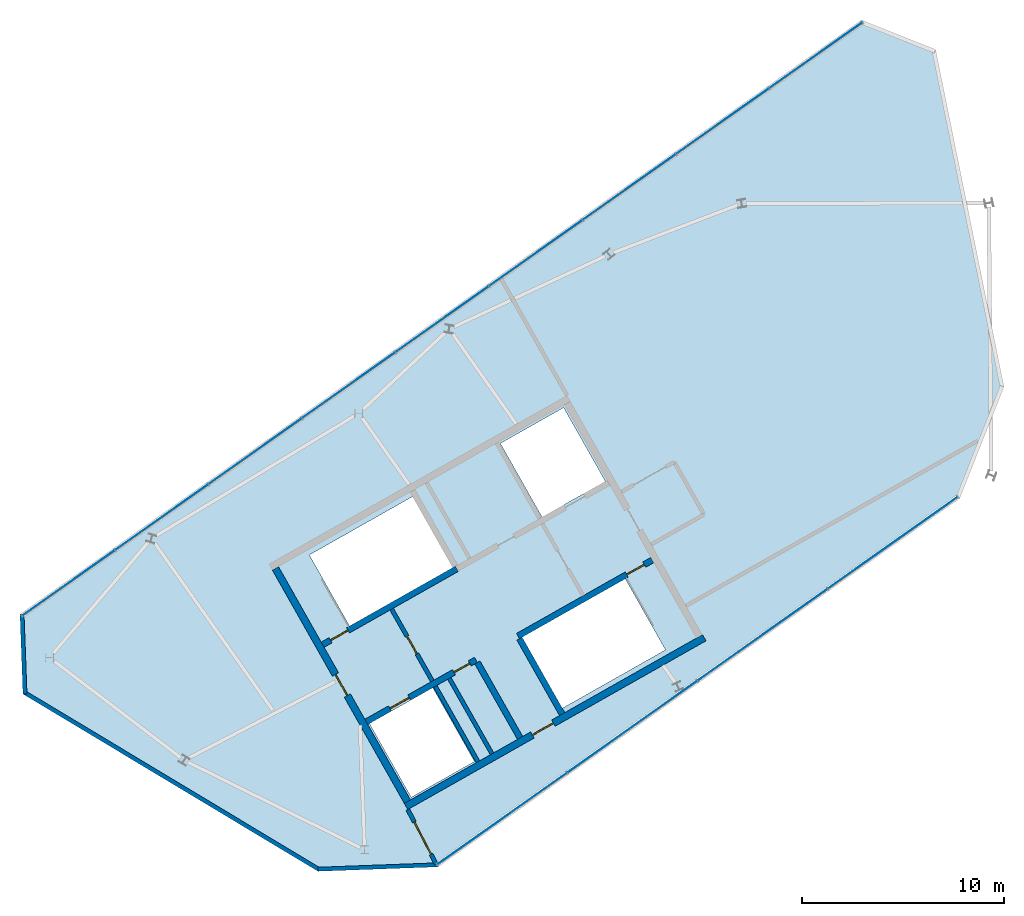
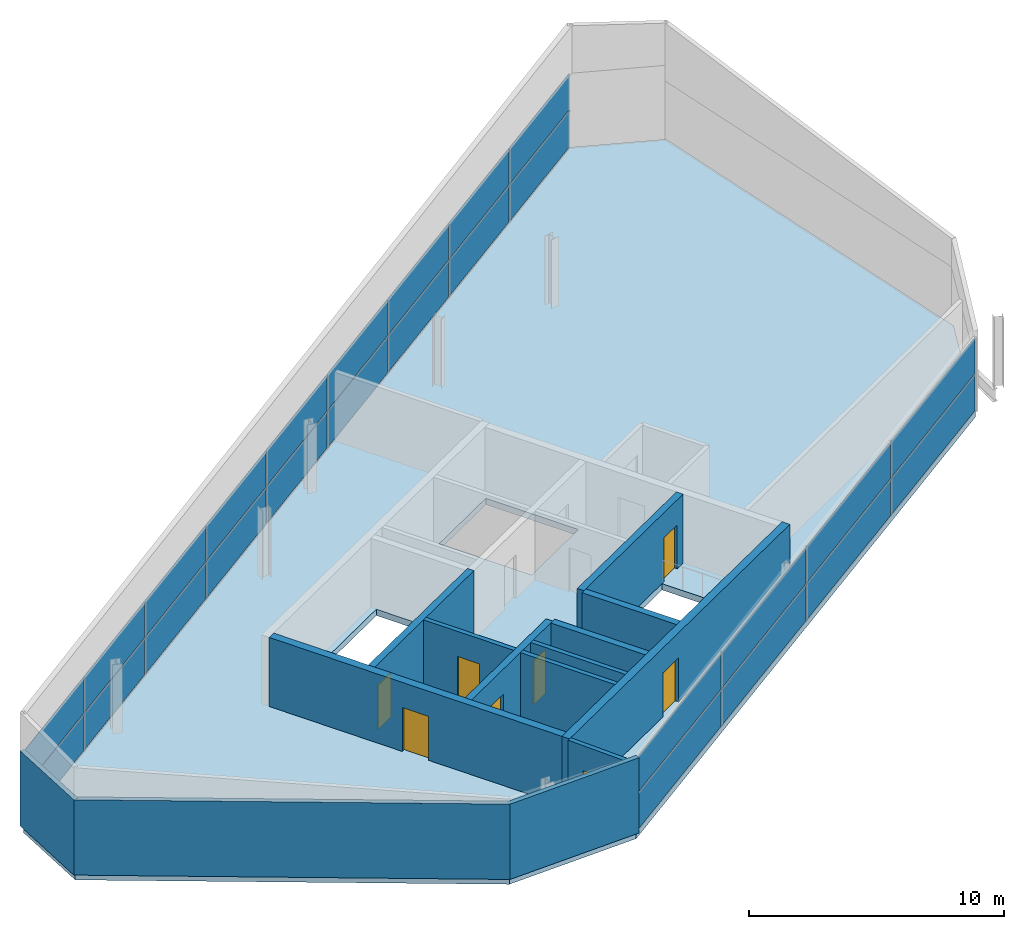
# One storey, part 8 of 10: 26 plates, 14 walls, 8 doors, 1 slab, 8 openings, 2 elements without a shape of their own.
"""IFC4 building model written with IfcOpenShell, lengths in metres."""

from ifc_helpers import new_model, si_unit, direction, frame, frame_2d, origin, origin_2d, place, context, subcontext, project, spatial, polyline, rectangle, outline, extrude, material, layer, layer_set, type_object, element, fill, aggregate, save


model = new_model("IFC4")

# Units and contexts
model_context = context("Model", 3, precision=1e-05, world=origin(), true_north=direction((0.0, 1.0)))
body_context = subcontext(model_context, "Body", "Model", "MODEL_VIEW")
ifc_project = project(units=[si_unit("LENGTHUNIT", "METRE"), si_unit("AREAUNIT", "SQUARE_METRE"), si_unit("VOLUMEUNIT", "CUBIC_METRE"), si_unit("PLANEANGLEUNIT", "RADIAN"), si_unit("MASSUNIT", "GRAM", prefix="KILO")], contexts=[model_context])

# Site, building, storey
site_placement = place(None, origin())
site = spatial("IfcSite", under=ifc_project, at=site_placement, CompositionType="ELEMENT")
building_placement = place(site_placement, origin())
building = spatial("IfcBuilding", under=site, at=building_placement, Name="Binnacle Exchange Tower", CompositionType="ELEMENT")
storey_placement = place(building_placement, frame((0.0, 0.0, 368.5)))
storey = spatial("IfcBuildingStorey", under=building, at=storey_placement, Name="L85", CompositionType="ELEMENT", Elevation=368.5)

# Curtain wall, plates
ifc_material_1 = material(Name="Bronze anodised aluminium frame", Category="aluminium")
curtain_wall_type = type_object("IfcCurtainWallType", Name="External wall - curtain wall crown top", PredefinedType="NOTDEFINED", material=ifc_material_1)
curtain_wall_1_placement = place(storey_placement, origin())
curtain_wall_1 = element("IfcCurtainWall", 1, at=curtain_wall_1_placement, inside=storey, type_object=curtain_wall_type, Name="External wall curtain wall CW6-C303 L85", PredefinedType="NOTDEFINED")
ifc_material_2 = material(Name="Glass", Category="glass")
ifc_layer_1 = layer(ifc_material_2, 0.02392578125)
ifc_layer_set_1 = layer_set([ifc_layer_1], Name="CW6 GLASS PANEL 24")
plate_type = type_object("IfcPlateType", Name="CW6 GLASS PANEL 24", PredefinedType="CURTAIN_PANEL", material=ifc_layer_set_1)
plate_1_placement = place(storey_placement, frame((-19.462158203125, 66.922119140625, 0.0400390625), z_axis=(0.0, 0.0, 1.0), x_axis=(-0.816847180221, -0.576854127285, 0.0)))
plate_1 = element("IfcPlate", 2, at=plate_1_placement, type_object=plate_type, Name="CW6-C303 panel 1.1", PredefinedType="CURTAIN_PANEL", context=body_context, shape_type="SweptSolid", body=[
    extrude(rectangle(XDim=5.604736328125, YDim=0.02392578125, at=origin_2d()), origin(), (0.0, 0.0, 1.0), 1.739990234375),
])
plate_2_placement = place(storey_placement, frame((-19.462158203125, 66.922119140625, 1.81982421875), z_axis=(0.0, 0.0, 1.0), x_axis=(-0.816847180221, -0.576854127285, 0.0)))
plate_2 = element("IfcPlate", 3, at=plate_2_placement, type_object=plate_type, Name="CW6-C303 panel 1.2", PredefinedType="CURTAIN_PANEL", context=body_context, shape_type="SweptSolid", body=[
    extrude(rectangle(XDim=5.604736328125, YDim=0.02392578125, at=origin_2d()), origin(), (0.0, 0.0, 1.0), 1.739990234375),
])
plate_3_placement = place(storey_placement, frame((-24.091552734375, 63.653076171875, 0.0400390625), z_axis=(0.0, 0.0, 1.0), x_axis=(-0.816847180221, -0.576854127285, 0.0)))
plate_3 = element("IfcPlate", 4, at=plate_3_placement, type_object=plate_type, Name="CW6-C303 panel 2.1", PredefinedType="CURTAIN_PANEL", context=body_context, shape_type="SweptSolid", body=[
    extrude(rectangle(XDim=5.6298828125, YDim=0.02392578125, at=origin_2d()), origin(), (0.0, 0.0, 1.0), 1.739990234375),
])
plate_4_placement = place(storey_placement, frame((-24.091552734375, 63.653076171875, 1.81982421875), z_axis=(0.0, 0.0, 1.0), x_axis=(-0.816847180221, -0.576854127285, 0.0)))
plate_4 = element("IfcPlate", 5, at=plate_4_placement, type_object=plate_type, Name="CW6-C303 panel 2.2", PredefinedType="CURTAIN_PANEL", context=body_context, shape_type="SweptSolid", body=[
    extrude(rectangle(XDim=5.6298828125, YDim=0.02392578125, at=origin_2d()), origin(), (0.0, 0.0, 1.0), 1.739990234375),
])
plate_5_placement = place(storey_placement, frame((-28.731201171875, 60.376708984375, 0.0400390625), z_axis=(0.0, 0.0, 1.0), x_axis=(-0.816847180221, -0.576854127285, 0.0)))
plate_5 = element("IfcPlate", 6, at=plate_5_placement, type_object=plate_type, Name="CW6-C303 panel 3.1", PredefinedType="CURTAIN_PANEL", context=body_context, shape_type="SweptSolid", body=[
    extrude(rectangle(XDim=5.6298828125, YDim=0.02392578125, at=origin_2d()), origin(), (0.0, 0.0, 1.0), 1.739990234375),
])
plate_6_placement = place(storey_placement, frame((-28.731201171875, 60.376708984375, 1.81982421875), z_axis=(0.0, 0.0, 1.0), x_axis=(-0.816847180221, -0.576854127285, 0.0)))
plate_6 = element("IfcPlate", 7, at=plate_6_placement, type_object=plate_type, Name="CW6-C303 panel 3.2", PredefinedType="CURTAIN_PANEL", context=body_context, shape_type="SweptSolid", body=[
    extrude(rectangle(XDim=5.6298828125, YDim=0.02392578125, at=origin_2d()), origin(), (0.0, 0.0, 1.0), 1.739990234375),
])
plate_7_placement = place(storey_placement, frame((-33.37060546875, 57.10009765625, 0.0400390625), z_axis=(0.0, 0.0, 1.0), x_axis=(-0.816847180221, -0.576854127285, 0.0)))
plate_7 = element("IfcPlate", 8, at=plate_7_placement, type_object=plate_type, Name="CW6-C303 panel 4.1", PredefinedType="CURTAIN_PANEL", context=body_context, shape_type="SweptSolid", body=[
    extrude(rectangle(XDim=5.6298828125, YDim=0.02392578125, at=origin_2d()), origin(), (0.0, 0.0, 1.0), 1.739990234375),
])
plate_8_placement = place(storey_placement, frame((-33.37060546875, 57.10009765625, 1.81982421875), z_axis=(0.0, 0.0, 1.0), x_axis=(-0.816847180221, -0.576854127285, 0.0)))
plate_8 = element("IfcPlate", 9, at=plate_8_placement, type_object=plate_type, Name="CW6-C303 panel 4.2", PredefinedType="CURTAIN_PANEL", context=body_context, shape_type="SweptSolid", body=[
    extrude(rectangle(XDim=5.6298828125, YDim=0.02392578125, at=origin_2d()), origin(), (0.0, 0.0, 1.0), 1.739990234375),
])
plate_9_placement = place(storey_placement, frame((-38.01025390625, 53.82373046875, 0.0400390625), z_axis=(0.0, 0.0, 1.0), x_axis=(-0.816847180221, -0.576854127285, 0.0)))
plate_9 = element("IfcPlate", 10, at=plate_9_placement, type_object=plate_type, Name="CW6-C303 panel 5.1", PredefinedType="CURTAIN_PANEL", context=body_context, shape_type="SweptSolid", body=[
    extrude(rectangle(XDim=5.6298828125, YDim=0.02392578125, at=origin_2d()), origin(), (0.0, 0.0, 1.0), 1.739990234375),
])
plate_10_placement = place(storey_placement, frame((-38.01025390625, 53.82373046875, 1.81982421875), z_axis=(0.0, 0.0, 1.0), x_axis=(-0.816847180221, -0.576854127285, 0.0)))
plate_10 = element("IfcPlate", 11, at=plate_10_placement, type_object=plate_type, Name="CW6-C303 panel 5.2", PredefinedType="CURTAIN_PANEL", context=body_context, shape_type="SweptSolid", body=[
    extrude(rectangle(XDim=5.6298828125, YDim=0.02392578125, at=origin_2d()), origin(), (0.0, 0.0, 1.0), 1.739990234375),
])
plate_11_placement = place(storey_placement, frame((-42.649658203125, 50.54736328125, 0.0400390625), z_axis=(0.0, 0.0, 1.0), x_axis=(-0.816847180221, -0.576854127285, 0.0)))
plate_11 = element("IfcPlate", 12, at=plate_11_placement, type_object=plate_type, Name="CW6-C303 panel 6.1", PredefinedType="CURTAIN_PANEL", context=body_context, shape_type="SweptSolid", body=[
    extrude(rectangle(XDim=5.6298828125, YDim=0.02392578125, at=origin_2d()), origin(), (0.0, 0.0, 1.0), 1.739990234375),
])
plate_12_placement = place(storey_placement, frame((-42.649658203125, 50.54736328125, 1.81982421875), z_axis=(0.0, 0.0, 1.0), x_axis=(-0.816847180221, -0.576854127285, 0.0)))
plate_12 = element("IfcPlate", 13, at=plate_12_placement, type_object=plate_type, Name="CW6-C303 panel 6.2", PredefinedType="CURTAIN_PANEL", context=body_context, shape_type="SweptSolid", body=[
    extrude(rectangle(XDim=5.6298828125, YDim=0.02392578125, at=origin_2d()), origin(), (0.0, 0.0, 1.0), 1.739990234375),
])
plate_13_placement = place(storey_placement, frame((-47.289306640625, 47.27099609375, 0.0400390625), z_axis=(0.0, 0.0, 1.0), x_axis=(-0.816847180221, -0.576854127285, 0.0)))
plate_13 = element("IfcPlate", 14, at=plate_13_placement, type_object=plate_type, Name="CW6-C303 panel 7.1", PredefinedType="CURTAIN_PANEL", context=body_context, shape_type="SweptSolid", body=[
    extrude(rectangle(XDim=5.6298828125, YDim=0.02392578125, at=origin_2d()), origin(), (0.0, 0.0, 1.0), 1.739990234375),
])
plate_14_placement = place(storey_placement, frame((-47.289306640625, 47.27099609375, 1.81982421875), z_axis=(0.0, 0.0, 1.0), x_axis=(-0.816847180221, -0.576854127285, 0.0)))
plate_14 = element("IfcPlate", 15, at=plate_14_placement, type_object=plate_type, Name="CW6-C303 panel 7.2", PredefinedType="CURTAIN_PANEL", context=body_context, shape_type="SweptSolid", body=[
    extrude(rectangle(XDim=5.6298828125, YDim=0.02392578125, at=origin_2d()), origin(), (0.0, 0.0, 1.0), 1.739990234375),
])
plate_15_placement = place(storey_placement, frame((-51.9287109375, 43.99462890625, 0.0400390625), z_axis=(0.0, 0.0, 1.0), x_axis=(-0.816847180221, -0.576854127285, 0.0)))
plate_15 = element("IfcPlate", 16, at=plate_15_placement, type_object=plate_type, Name="CW6-C303 panel 8.1", PredefinedType="CURTAIN_PANEL", context=body_context, shape_type="SweptSolid", body=[
    extrude(rectangle(XDim=5.6298828125, YDim=0.02392578125, at=origin_2d()), origin(), (0.0, 0.0, 1.0), 1.739990234375),
])
plate_16_placement = place(storey_placement, frame((-51.9287109375, 43.99462890625, 1.81982421875), z_axis=(0.0, 0.0, 1.0), x_axis=(-0.816847180221, -0.576854127285, 0.0)))
plate_16 = element("IfcPlate", 17, at=plate_16_placement, type_object=plate_type, Name="CW6-C303 panel 8.2", PredefinedType="CURTAIN_PANEL", context=body_context, shape_type="SweptSolid", body=[
    extrude(rectangle(XDim=5.6298828125, YDim=0.02392578125, at=origin_2d()), origin(), (0.0, 0.0, 1.0), 1.739990234375),
])
plate_17_placement = place(storey_placement, frame((-56.55810546875, 40.725341796875, 0.0400390625), z_axis=(0.0, 0.0, 1.0), x_axis=(-0.816847180221, -0.576854127285, 0.0)))
plate_17 = element("IfcPlate", 18, at=plate_17_placement, type_object=plate_type, Name="CW6-C303 panel 9.1", PredefinedType="CURTAIN_PANEL", context=body_context, shape_type="SweptSolid", body=[
    extrude(rectangle(XDim=5.604736328125, YDim=0.02392578125, at=origin_2d()), origin(), (0.0, 0.0, 1.0), 1.739990234375),
])
plate_18_placement = place(storey_placement, frame((-56.55810546875, 40.725341796875, 1.81982421875), z_axis=(0.0, 0.0, 1.0), x_axis=(-0.816847180221, -0.576854127285, 0.0)))
plate_18 = element("IfcPlate", 19, at=plate_18_placement, type_object=plate_type, Name="CW6-C303 panel 9.2", PredefinedType="CURTAIN_PANEL", context=body_context, shape_type="SweptSolid", body=[
    extrude(rectangle(XDim=5.604736328125, YDim=0.02392578125, at=origin_2d()), origin(), (0.0, 0.0, 1.0), 1.739990234375),
])
aggregate(curtain_wall_1, [plate_1, plate_2, plate_3, plate_4, plate_5, plate_6, plate_7, plate_8, plate_9, plate_10, plate_11, plate_12, plate_13, plate_14, plate_15, plate_16, plate_17, plate_18])

curtain_wall_2_placement = place(storey_placement, origin())
curtain_wall_2 = element("IfcCurtainWall", 20, at=curtain_wall_2_placement, inside=storey, type_object=curtain_wall_type, Name="External wall curtain wall CW6-C307 L85", PredefinedType="NOTDEFINED")
plate_19_placement = place(storey_placement, frame((-35.033447265625, 29.037109375, 0.0400390625), z_axis=(0.0, 0.0, 1.0), x_axis=(0.816847180221, 0.576854127285, 0.0)))
plate_19 = element("IfcPlate", 21, at=plate_19_placement, type_object=plate_type, Name="CW6-C307 panel 1.1", PredefinedType="CURTAIN_PANEL", context=body_context, shape_type="SweptSolid", body=[
    extrude(rectangle(XDim=7.844482421875, YDim=0.02392578125, at=origin_2d()), origin(), (0.0, 0.0, 1.0), 1.739990234375),
])
plate_20_placement = place(storey_placement, frame((-35.033447265625, 29.037109375, 1.81982421875), z_axis=(0.0, 0.0, 1.0), x_axis=(0.816847180221, 0.576854127285, 0.0)))
plate_20 = element("IfcPlate", 22, at=plate_20_placement, type_object=plate_type, Name="CW6-C307 panel 1.2", PredefinedType="CURTAIN_PANEL", context=body_context, shape_type="SweptSolid", body=[
    extrude(rectangle(XDim=7.844482421875, YDim=0.02392578125, at=origin_2d()), origin(), (0.0, 0.0, 1.0), 1.739990234375),
])
plate_21_placement = place(storey_placement, frame((-28.57470703125, 33.598388671875, 0.0400390625), z_axis=(0.0, 0.0, 1.0), x_axis=(0.816847180221, 0.576854127285, 0.0)))
plate_21 = element("IfcPlate", 23, at=plate_21_placement, type_object=plate_type, Name="CW6-C307 panel 2.1", PredefinedType="CURTAIN_PANEL", context=body_context, shape_type="SweptSolid", body=[
    extrude(rectangle(XDim=7.869384765625, YDim=0.02392578125, at=origin_2d()), origin(), (0.0, 0.0, 1.0), 1.739990234375),
])
plate_22_placement = place(storey_placement, frame((-28.57470703125, 33.598388671875, 1.81982421875), z_axis=(0.0, 0.0, 1.0), x_axis=(0.816847180221, 0.576854127285, 0.0)))
plate_22 = element("IfcPlate", 24, at=plate_22_placement, type_object=plate_type, Name="CW6-C307 panel 2.2", PredefinedType="CURTAIN_PANEL", context=body_context, shape_type="SweptSolid", body=[
    extrude(rectangle(XDim=7.869384765625, YDim=0.02392578125, at=origin_2d()), origin(), (0.0, 0.0, 1.0), 1.739990234375),
])
plate_23_placement = place(storey_placement, frame((-22.105712890625, 38.166748046875, 0.0400390625), z_axis=(0.0, 0.0, 1.0), x_axis=(0.816847180221, 0.576854127285, 0.0)))
plate_23 = element("IfcPlate", 25, at=plate_23_placement, type_object=plate_type, Name="CW6-C307 panel 3.1", PredefinedType="CURTAIN_PANEL", context=body_context, shape_type="SweptSolid", body=[
    extrude(rectangle(XDim=7.869384765625, YDim=0.02392578125, at=origin_2d()), origin(), (0.0, 0.0, 1.0), 1.739990234375),
])
plate_24_placement = place(storey_placement, frame((-22.105712890625, 38.166748046875, 1.81982421875), z_axis=(0.0, 0.0, 1.0), x_axis=(0.816847180221, 0.576854127285, 0.0)))
plate_24 = element("IfcPlate", 26, at=plate_24_placement, type_object=plate_type, Name="CW6-C307 panel 3.2", PredefinedType="CURTAIN_PANEL", context=body_context, shape_type="SweptSolid", body=[
    extrude(rectangle(XDim=7.869384765625, YDim=0.02392578125, at=origin_2d()), origin(), (0.0, 0.0, 1.0), 1.739990234375),
])
plate_25_placement = place(storey_placement, frame((-15.64697265625, 42.727783203125, 0.0400390625), z_axis=(0.0, 0.0, 1.0), x_axis=(0.816847180221, 0.576854127285, 0.0)))
plate_25 = element("IfcPlate", 27, at=plate_25_placement, type_object=plate_type, Name="CW6-C307 panel 4.1", PredefinedType="CURTAIN_PANEL", context=body_context, shape_type="SweptSolid", body=[
    extrude(rectangle(XDim=7.844482421875, YDim=0.02392578125, at=origin_2d()), origin(), (0.0, 0.0, 1.0), 1.739990234375),
])
plate_26_placement = place(storey_placement, frame((-15.64697265625, 42.727783203125, 1.81982421875), z_axis=(0.0, 0.0, 1.0), x_axis=(0.816847180221, 0.576854127285, 0.0)))
plate_26 = element("IfcPlate", 28, at=plate_26_placement, type_object=plate_type, Name="CW6-C307 panel 4.2", PredefinedType="CURTAIN_PANEL", context=body_context, shape_type="SweptSolid", body=[
    extrude(rectangle(XDim=7.844482421875, YDim=0.02392578125, at=origin_2d()), origin(), (0.0, 0.0, 1.0), 1.739990234375),
])
aggregate(curtain_wall_2, [plate_19, plate_20, plate_21, plate_22, plate_23, plate_24, plate_25, plate_26])

# Slab
ifc_material_3 = material(Name="Concrete C35/45", Category="concrete")
ifc_layer_2 = layer(ifc_material_3, 0.300048828125)
ifc_layer_set_2 = layer_set([ifc_layer_2], Name="Floor slab 300 Concrete C35/45")
slab_type = type_object("IfcSlabType", Name="Floor slab 300 Concrete C35/45", PredefinedType="FLOOR", material=ifc_layer_set_2)
slab_placement = place(storey_placement, frame((0.0, 0.0, -0.300048828125)))
element("IfcSlab", 29, at=slab_placement, inside=storey, type_object=slab_type, Name="S:SL:L85:01", PredefinedType="FLOOR", context=body_context, shape_type="SweptSolid", body=[
    extrude(outline(polyline([(-38.28515625, 26.74072265625), (-44.14404296875, 26.5244140625), (-58.716064453125, 35.280029296875), (-58.857177734375, 39.101806640625), (-17.1630859375, 68.5458984375), (-13.60888671875, 67.134521484375), (-10.2314453125, 50.473388671875), (-12.39501953125, 45.024169921875), (-38.28515625, 26.74072265625)]), holes=[polyline([(-41.61279296875, 33.756591796875), (-39.544677734375, 30.10107421875), (-36.411376953125, 31.873779296875), (-38.4794921875, 35.529296875), (-41.61279296875, 33.756591796875)]), polyline([(-26.9287109375, 37.4111328125), (-28.923095703125, 40.93603515625), (-34.040771484375, 38.04052734375), (-32.04638671875, 34.515625), (-26.9287109375, 37.4111328125)]), polyline([(-44.598388671875, 42.12060546875), (-42.604248046875, 38.595703125), (-37.486572265625, 41.4912109375), (-39.480712890625, 45.01611328125), (-44.598388671875, 42.12060546875)]), polyline([(-35.115966796875, 47.657958984375), (-33.047607421875, 44.00244140625), (-29.914306640625, 45.775390625), (-31.982666015625, 49.430908203125), (-35.115966796875, 47.657958984375)])]), origin(), (0.0, 0.0, 1.0), 0.300048828125),
])

# Wall, openings, doors
ifc_material_4 = material(Name="Concrete C70/85", Category="concrete")
ifc_layer_3 = layer(ifc_material_4, 0.300048828125)
ifc_layer_set_3 = layer_set([ifc_layer_3], Name="Core wall - front 300")
wall_type_1 = type_object("IfcWallType", Name="Core wall - front 300", PredefinedType="SOLIDWALL", material=ifc_layer_set_3)
wall_1_placement = place(storey_placement, frame((-41.773681640625, 33.837890625, 0.0), z_axis=(0.0, 0.0, 1.0), x_axis=(0.870355415866, 0.492424055132, 0.0)))
wall_1 = element("IfcWall", 30, at=wall_1_placement, inside=storey, type_object=wall_type_1, Name="Core wall CRWA2", PredefinedType="SOLIDWALL", context=body_context, shape_type="SweptSolid", body=[
    extrude(rectangle(XDim=6.25, YDim=0.300048828125, at=frame_2d((3.125, 0.0))), origin(), (0.0, 0.0, 1.0), 3.300048828125),
])
opening_1_placement = place(wall_1_placement, frame((1.349853515625, 0.0, 0.0)))
opening_1 = element("IfcOpeningElement", 31, at=opening_1_placement, cuts=wall_1, Name="Opening LD12", PredefinedType="OPENING", context=body_context, shape_type="SweptSolid", body=[
    extrude(rectangle(XDim=1.10009765625, YDim=2.10009765625, at=frame_2d((0.550048828125, 1.050048828125))), frame((0.0, 0.159912109375, 0.0), z_axis=(0.0, -1.0, 0.0), x_axis=(1.0, 0.0, 0.0)), (0.0, 0.0, 1.0), 0.320068359375),
])
opening_2_placement = place(wall_1_placement, frame((5.0, 0.0, 0.0)))
opening_2 = element("IfcOpeningElement", 32, at=opening_2_placement, cuts=wall_1, Name="Opening DA14", PredefinedType="OPENING", context=body_context, shape_type="SweptSolid", body=[
    extrude(rectangle(XDim=0.89990234375, YDim=2.10009765625, at=frame_2d((0.449951171875, 1.050048828125))), frame((0.0, 0.159912109375, 0.0), z_axis=(0.0, -1.0, 0.0), x_axis=(1.0, 0.0, 0.0)), (0.0, 0.0, 1.0), 0.320068359375),
])
ifc_material_5 = material(Name="Steel door leaf", Category="steel")
door_type_1 = type_object("IfcDoorType", Name="Fire door - lift landing 1100", OperationType="NOTDEFINED", PredefinedType="DOOR", material=ifc_material_5)
door_1_placement = place(opening_1_placement, origin())
door_1 = element("IfcDoor", 33, at=door_1_placement, inside=storey, type_object=door_type_1, Name="Landing door LD12 L85", OperationType="DOUBLE_DOOR_SLIDING", OverallHeight=2.10009765625, OverallWidth=1.10009765625, PredefinedType="DOOR", context=body_context, shape_type="SweptSolid", body=[
    extrude(rectangle(XDim=1.10009765625, YDim=2.10009765625, at=frame_2d((0.550048828125, 1.050048828125))), frame((0.0, 0.02490234375, 0.0), z_axis=(0.0, -1.0, 0.0), x_axis=(1.0, 0.0, 0.0)), (0.0, 0.0, 1.0), 0.050048828125),
])
fill(opening_1, door_1)
door_type_2 = type_object("IfcDoorType", Name="Fire door 900", OperationType="NOTDEFINED", PredefinedType="DOOR", material=ifc_material_5)
door_2_placement = place(opening_2_placement, frame((0.89990234375, 0.0, 0.0), z_axis=(0.0, 0.0, 1.0), x_axis=(-1.0, 0.0, 0.0)))
door_2 = element("IfcDoor", 34, at=door_2_placement, inside=storey, type_object=door_type_2, Name="Core room door FIBRE ENTRY ROOM", OperationType="SINGLE_SWING_LEFT", OverallHeight=2.10009765625, OverallWidth=0.89990234375, PredefinedType="DOOR", context=body_context, shape_type="SweptSolid", body=[
    extrude(rectangle(XDim=0.89990234375, YDim=2.10009765625, at=frame_2d((0.449951171875, 1.050048828125))), frame((0.0, 0.02490234375, 0.0), z_axis=(0.0, -1.0, 0.0), x_axis=(1.0, 0.0, 0.0)), (0.0, 0.0, 1.0), 0.050048828125),
])
fill(opening_2, door_2)

# Wall
wall_2_placement = place(storey_placement, frame((-36.260009765625, 36.784912109375, 0.0), z_axis=(0.0, 0.0, 1.0), x_axis=(0.492435133428, -0.870349147967, 0.0)))
element("IfcWall", 35, at=wall_2_placement, inside=storey, type_object=wall_type_1, Name="Core wall CRWA13", PredefinedType="SOLIDWALL", context=body_context, shape_type="SweptSolid", body=[
    extrude(rectangle(XDim=4.2998046875, YDim=0.300048828125, at=frame_2d((2.14990234375, 0.0))), origin(), (0.0, 0.0, 1.0), 3.300048828125),
])

# Wall, opening, door
ifc_layer_4 = layer(ifc_material_4, 0.35009765625)
ifc_layer_set_4 = layer_set([ifc_layer_4], Name="Core wall - outer 350")
wall_type_2 = type_object("IfcWallType", Name="Core wall - outer 350", PredefinedType="SOLIDWALL", material=ifc_layer_set_4)
wall_3_placement = place(storey_placement, frame((-39.80078125, 29.64013671875, 0.0), z_axis=(0.0, 0.0, 1.0), x_axis=(0.870359753402, 0.492416388494, 0.0)))
wall_3 = element("IfcWall", 36, at=wall_3_placement, inside=storey, type_object=wall_type_2, Name="Core wall CRWA1", PredefinedType="SOLIDWALL", context=body_context, shape_type="SweptSolid", body=[
    extrude(rectangle(XDim=17.0, YDim=0.35009765625, at=frame_2d((8.5, 0.0))), origin(), (0.0, 0.0, 1.0), 3.300048828125),
])
opening_3_placement = place(wall_3_placement, frame((7.199951171875, 0.0, 0.0)))
opening_3 = element("IfcOpeningElement", 37, at=opening_3_placement, cuts=wall_3, Name="Opening DA7", PredefinedType="OPENING", context=body_context, shape_type="SweptSolid", body=[
    extrude(rectangle(XDim=1.199951171875, YDim=2.10009765625, at=frame_2d((0.60009765625, 1.050048828125))), frame((0.0, 0.18505859375, 0.0), z_axis=(0.0, -1.0, 0.0), x_axis=(1.0, 0.0, 0.0)), (0.0, 0.0, 1.0), 0.3701171875),
])
door_type_3 = type_object("IfcDoorType", Name="Fire door 1200", OperationType="NOTDEFINED", PredefinedType="DOOR", material=ifc_material_5)
door_3_placement = place(opening_3_placement, frame((1.199951171875, 0.0, 0.0), z_axis=(0.0, 0.0, 1.0), x_axis=(-1.0, 0.0, 0.0)))
door_3 = element("IfcDoor", 38, at=door_3_placement, inside=storey, type_object=door_type_3, Name="Lift lobby entrance door core A", OperationType="SINGLE_SWING_RIGHT", OverallHeight=2.10009765625, OverallWidth=1.199951171875, PredefinedType="DOOR", context=body_context, shape_type="SweptSolid", body=[
    extrude(rectangle(XDim=1.199951171875, YDim=2.10009765625, at=frame_2d((0.60009765625, 1.050048828125))), frame((0.0, 0.02490234375, 0.0), z_axis=(0.0, -1.0, 0.0), x_axis=(1.0, 0.0, 0.0)), (0.0, 0.0, 1.0), 0.050048828125),
])
fill(opening_3, door_3)

wall_4_placement = place(storey_placement, frame((-46.283935546875, 41.454345703125, 0.0), z_axis=(0.0, 0.0, 1.0), x_axis=(0.492429810477, -0.870352159619, 0.0)))
wall_4 = element("IfcWall", 39, at=wall_4_placement, inside=storey, type_object=wall_type_2, Name="Core wall CRWA7", PredefinedType="SOLIDWALL", context=body_context, shape_type="SweptSolid", body=[
    extrude(rectangle(XDim=13.300048828125, YDim=0.35009765625, at=frame_2d((6.64990234375, 0.0))), origin(), (0.0, 0.0, 1.0), 3.300048828125),
])
opening_4_placement = place(wall_4_placement, frame((6.050048828125, 0.0, 0.0)))
opening_4 = element("IfcOpeningElement", 40, at=opening_4_placement, cuts=wall_4, Name="Opening DA5", PredefinedType="OPENING", context=body_context, shape_type="SweptSolid", body=[
    extrude(rectangle(XDim=1.199951171875, YDim=2.10009765625, at=frame_2d((0.60009765625, 1.050048828125))), frame((0.0, 0.18505859375, 0.0), z_axis=(0.0, -1.0, 0.0), x_axis=(1.0, 0.0, 0.0)), (0.0, 0.0, 1.0), 0.3701171875),
])
door_4_placement = place(opening_4_placement, frame((1.199951171875, 0.0, 0.0), z_axis=(0.0, 0.0, 1.0), x_axis=(-1.0, 0.0, 0.0)))
door_4 = element("IfcDoor", 41, at=door_4_placement, inside=storey, type_object=door_type_3, Name="Vestibule exit door VEST-W", OperationType="SINGLE_SWING_LEFT", OverallHeight=2.10009765625, OverallWidth=1.199951171875, PredefinedType="DOOR", context=body_context, shape_type="SweptSolid", body=[
    extrude(rectangle(XDim=1.199951171875, YDim=2.10009765625, at=frame_2d((0.60009765625, 1.050048828125))), frame((0.0, 0.02490234375, 0.0), z_axis=(0.0, -1.0, 0.0), x_axis=(1.0, 0.0, 0.0)), (0.0, 0.0, 1.0), 0.050048828125),
])
fill(opening_4, door_4)

ifc_layer_5 = layer(ifc_material_4, 0.300048828125)
ifc_layer_set_5 = layer_set([ifc_layer_5], Name="Core wall - stair 300")
wall_type_3 = type_object("IfcWallType", Name="Core wall - stair 300", PredefinedType="SOLIDWALL", material=ifc_layer_set_5)
wall_5_placement = place(storey_placement, frame((-34.2451171875, 38.097412109375, 0.0), z_axis=(0.0, 0.0, 1.0), x_axis=(0.870352347706, 0.49242947804, 0.0)))
wall_5 = element("IfcWall", 42, at=wall_5_placement, inside=storey, type_object=wall_type_3, Name="Core wall CRWA3", PredefinedType="SOLIDWALL", context=body_context, shape_type="SweptSolid", body=[
    extrude(rectangle(XDim=7.64990234375, YDim=0.300048828125, at=frame_2d((3.824951171875, 0.0))), origin(), (0.0, 0.0, 1.0), 3.300048828125),
])
opening_5_placement = place(wall_5_placement, frame((6.199951171875, 0.0, 0.0)))
opening_5 = element("IfcOpeningElement", 43, at=opening_5_placement, cuts=wall_5, Name="Opening DA2", PredefinedType="OPENING", context=body_context, shape_type="SweptSolid", body=[
    extrude(rectangle(XDim=1.0, YDim=2.10009765625, at=frame_2d((0.5, 1.050048828125))), frame((0.0, 0.159912109375, 0.0), z_axis=(0.0, -1.0, 0.0), x_axis=(1.0, 0.0, 0.0)), (0.0, 0.0, 1.0), 0.320068359375),
])
door_type_4 = type_object("IfcDoorType", Name="Fire door 1000", OperationType="NOTDEFINED", PredefinedType="DOOR", material=ifc_material_5)
door_5_placement = place(opening_5_placement, frame((1.0, 0.0, 0.0), z_axis=(0.0, 0.0, 1.0), x_axis=(-1.0, 0.0, 0.0)))
door_5 = element("IfcDoor", 44, at=door_5_placement, inside=storey, type_object=door_type_4, Name="Stair door ST-A2", OperationType="SINGLE_SWING_LEFT", OverallHeight=2.10009765625, OverallWidth=1.0, PredefinedType="DOOR", context=body_context, shape_type="SweptSolid", body=[
    extrude(rectangle(XDim=1.0, YDim=2.10009765625, at=frame_2d((0.5, 1.050048828125))), frame((0.0, 0.02490234375, 0.0), z_axis=(0.0, -1.0, 0.0), x_axis=(1.0, 0.0, 0.0)), (0.0, 0.0, 1.0), 0.050048828125),
])
fill(opening_5, door_5)

wall_6_placement = place(storey_placement, frame((-43.940185546875, 37.66748046875, 0.0), z_axis=(0.0, 0.0, 1.0), x_axis=(0.870352347706, 0.49242947804, 0.0)))
wall_6 = element("IfcWall", 45, at=wall_6_placement, inside=storey, type_object=wall_type_3, Name="Core wall CRWA4", PredefinedType="SOLIDWALL", context=body_context, shape_type="SweptSolid", body=[
    extrude(rectangle(XDim=7.64990234375, YDim=0.300048828125, at=frame_2d((3.824951171875, 0.0))), origin(), (0.0, 0.0, 1.0), 3.300048828125),
])
opening_6_placement = place(wall_6_placement, frame((0.449951171875, 0.0, 0.0)))
opening_6 = element("IfcOpeningElement", 46, at=opening_6_placement, cuts=wall_6, Name="Opening DA1", PredefinedType="OPENING", context=body_context, shape_type="SweptSolid", body=[
    extrude(rectangle(XDim=1.0, YDim=2.10009765625, at=frame_2d((0.5, 1.050048828125))), frame((0.0, 0.159912109375, 0.0), z_axis=(0.0, -1.0, 0.0), x_axis=(1.0, 0.0, 0.0)), (0.0, 0.0, 1.0), 0.320068359375),
])
door_6_placement = place(opening_6_placement, origin())
door_6 = element("IfcDoor", 47, at=door_6_placement, inside=storey, type_object=door_type_4, Name="Stair door ST-A1", OperationType="SINGLE_SWING_LEFT", OverallHeight=2.10009765625, OverallWidth=1.0, PredefinedType="DOOR", context=body_context, shape_type="SweptSolid", body=[
    extrude(rectangle(XDim=1.0, YDim=2.10009765625, at=frame_2d((0.5, 1.050048828125))), frame((0.0, 0.02490234375, 0.0), z_axis=(0.0, -1.0, 0.0), x_axis=(1.0, 0.0, 0.0)), (0.0, 0.0, 1.0), 0.050048828125),
])
fill(opening_6, door_6)

# Walls
wall_7_placement = place(storey_placement, frame((-34.171142578125, 37.966796875, 0.0), z_axis=(0.0, 0.0, 1.0), x_axis=(0.492435133428, -0.870349147967, 0.0)))
element("IfcWall", 48, at=wall_7_placement, inside=storey, type_object=wall_type_3, Name="Core wall CRWA16", PredefinedType="SOLIDWALL", context=body_context, shape_type="SweptSolid", body=[
    extrude(rectangle(XDim=4.2998046875, YDim=0.300048828125, at=frame_2d((2.14990234375, 0.0))), origin(), (0.0, 0.0, 1.0), 3.300048828125),
])
ifc_material_6 = material(Name="Bronze aluminium louvre", Category="aluminium")
ifc_layer_6 = layer(ifc_material_6, 0.199951171875)
ifc_layer_set_6 = layer_set([ifc_layer_6], Name="External wall - crown louvre 200")
wall_type_4 = type_object("IfcWallType", Name="External wall - crown louvre 200", PredefinedType="STANDARD", material=ifc_layer_set_6)
wall_8_placement = place(storey_placement, frame((-58.714111328125, 35.22607421875, 0.0), z_axis=(0.0, 0.0, 1.0), x_axis=(-0.036847570404, 0.999320897688, 0.0)))
element("IfcWall", 49, at=wall_8_placement, inside=storey, type_object=wall_type_4, Name="External wall EW-C304 L85", PredefinedType="STANDARD", context=body_context, shape_type="SweptSolid", body=[
    extrude(rectangle(XDim=3.962158203125, YDim=0.199951171875, at=frame_2d((1.98095703125, 0.0))), origin(), (0.0, 0.0, 1.0), 3.60009765625),
])
wall_9_placement = place(storey_placement, frame((-44.11865234375, 26.50927734375, 0.0), z_axis=(0.0, 0.0, 1.0), x_axis=(-0.857168693653, 0.515035756644, 0.0)))
element("IfcWall", 50, at=wall_9_placement, inside=storey, type_object=wall_type_4, Name="External wall EW-C305 L85", PredefinedType="STANDARD", context=body_context, shape_type="SweptSolid", body=[
    extrude(rectangle(XDim=17.083984375, YDim=0.199951171875, at=frame_2d((8.5419921875, 0.0))), origin(), (0.0, 0.0, 1.0), 3.60009765625),
])
wall_10_placement = place(storey_placement, frame((-38.209716796875, 26.74365234375, 0.0), z_axis=(0.0, 0.0, 1.0), x_axis=(-0.999319030106, -0.036898185155, 0.0)))
element("IfcWall", 51, at=wall_10_placement, inside=storey, type_object=wall_type_4, Name="External wall EW-C306 L85", PredefinedType="STANDARD", context=body_context, shape_type="SweptSolid", body=[
    extrude(rectangle(XDim=5.96826171875, YDim=0.199951171875, at=frame_2d((2.984130859375, 0.0))), origin(), (0.0, 0.0, 1.0), 3.60009765625),
])

# Wall, opening, door
ifc_material_7 = material(Name="Masonry block wall", Category="masonry")
ifc_layer_7 = layer(ifc_material_7, 0.199951171875)
ifc_layer_set_7 = layer_set([ifc_layer_7], Name="Fire wall - block 200")
wall_type_5 = type_object("IfcWallType", Name="Fire wall - block 200", PredefinedType="PARTITIONING", material=ifc_layer_set_7)
wall_11_placement = place(storey_placement, frame((-39.715087890625, 29.488037109375, 0.0), z_axis=(0.0, 0.0, 1.0), x_axis=(0.461720517785, -0.887025458178, 0.0)))
wall_11 = element("IfcWall", 52, at=wall_11_placement, inside=storey, type_object=wall_type_5, Name="Partition W01", PredefinedType="PARTITIONING", context=body_context, shape_type="SweptSolid", body=[
    extrude(rectangle(XDim=3.0302734375, YDim=0.199951171875, at=frame_2d((1.51513671875, 0.0))), origin(), (0.0, 0.0, 1.0), 3.300048828125),
])
opening_7_placement = place(wall_11_placement, frame((0.699951171875, 0.0, 0.0)))
opening_7 = element("IfcOpeningElement", 53, at=opening_7_placement, cuts=wall_11, Name="Opening DL85-02", PredefinedType="OPENING", context=body_context, shape_type="SweptSolid", body=[
    extrude(rectangle(XDim=1.800048828125, YDim=2.10009765625, at=frame_2d((0.89990234375, 1.050048828125))), frame((0.0, 0.10986328125, 0.0), z_axis=(0.0, -1.0, 0.0), x_axis=(1.0, 0.0, 0.0)), (0.0, 0.0, 1.0), 0.219970703125),
])
door_type_5 = type_object("IfcDoorType", Name="Fire door 1800", OperationType="NOTDEFINED", PredefinedType="DOOR", material=ifc_material_5)
door_7_placement = place(opening_7_placement, frame((1.800048828125, 0.0, 0.0), z_axis=(0.0, 0.0, 1.0), x_axis=(-1.0, 0.0, 0.0)))
door_7 = element("IfcDoor", 54, at=door_7_placement, inside=storey, type_object=door_type_5, Name="Door DL85-02", OperationType="DOUBLE_DOOR_SINGLE_SWING", OverallHeight=2.10009765625, OverallWidth=1.800048828125, PredefinedType="DOOR", context=body_context, shape_type="SweptSolid", body=[
    extrude(rectangle(XDim=1.800048828125, YDim=2.10009765625, at=frame_2d((0.89990234375, 1.050048828125))), frame((0.0, 0.02490234375, 0.0), z_axis=(0.0, -1.0, 0.0), x_axis=(1.0, 0.0, 0.0)), (0.0, 0.0, 1.0), 0.050048828125),
])
fill(opening_7, door_7)

ifc_layer_8 = layer(ifc_material_7, 0.199951171875)
ifc_layer_set_8 = layer_set([ifc_layer_8], Name="Fire wall - vestibule 200")
wall_type_6 = type_object("IfcWallType", Name="Fire wall - vestibule 200", PredefinedType="PARTITIONING", material=ifc_layer_set_8)
wall_12_placement = place(storey_placement, frame((-40.515625, 39.4326171875, 0.0), z_axis=(0.0, 0.0, 1.0), x_axis=(0.492453559952, -0.87033872216, 0.0)))
wall_12 = element("IfcWall", 55, at=wall_12_placement, inside=storey, type_object=wall_type_6, Name="Core wall CRWA10", PredefinedType="PARTITIONING", context=body_context, shape_type="SweptSolid", body=[
    extrude(rectangle(XDim=4.099853515625, YDim=0.199951171875, at=frame_2d((2.0498046875, 0.0))), origin(), (0.0, 0.0, 1.0), 3.300048828125),
])
opening_8_placement = place(wall_12_placement, frame((1.550048828125, 0.0, 0.0)))
opening_8 = element("IfcOpeningElement", 56, at=opening_8_placement, cuts=wall_12, Name="Opening DA3", PredefinedType="OPENING", context=body_context, shape_type="SweptSolid", body=[
    extrude(rectangle(XDim=1.0, YDim=2.10009765625, at=frame_2d((0.5, 1.050048828125))), frame((0.0, 0.10986328125, 0.0), z_axis=(0.0, -1.0, 0.0), x_axis=(1.0, 0.0, 0.0)), (0.0, 0.0, 1.0), 0.219970703125),
])
door_8_placement = place(opening_8_placement, frame((1.0, 0.0, 0.0), z_axis=(0.0, 0.0, 1.0), x_axis=(-1.0, 0.0, 0.0)))
door_8 = element("IfcDoor", 57, at=door_8_placement, inside=storey, type_object=door_type_4, Name="Vestibule door VEST-W", OperationType="SINGLE_SWING_LEFT", OverallHeight=2.10009765625, OverallWidth=1.0, PredefinedType="DOOR", context=body_context, shape_type="SweptSolid", body=[
    extrude(rectangle(XDim=1.0, YDim=2.10009765625, at=frame_2d((0.5, 1.050048828125))), frame((0.0, 0.02490234375, 0.0), z_axis=(0.0, -1.0, 0.0), x_axis=(1.0, 0.0, 0.0)), (0.0, 0.0, 1.0), 0.050048828125),
])
fill(opening_8, door_8)

# Walls
ifc_layer_9 = layer(ifc_material_7, 0.199951171875)
ifc_layer_set_9 = layer_set([ifc_layer_9], Name="Riser wall 200")
wall_type_7 = type_object("IfcWallType", Name="Riser wall 200", PredefinedType="SOLIDWALL", material=ifc_layer_set_9)
wall_13_placement = place(storey_placement, frame((-38.348876953125, 35.603271484375, 0.0), z_axis=(0.0, 0.0, 1.0), x_axis=(0.492410799949, -0.870362915164, 0.0)))
element("IfcWall", 58, at=wall_13_placement, inside=storey, type_object=wall_type_7, Name="Core wall CRWA8", PredefinedType="SOLIDWALL", context=body_context, shape_type="SweptSolid", body=[
    extrude(rectangle(XDim=4.300048828125, YDim=0.199951171875, at=frame_2d((2.14990234375, 0.0))), origin(), (0.0, 0.0, 1.0), 3.300048828125),
])
wall_14_placement = place(storey_placement, frame((-37.652587890625, 35.9970703125, 0.0), z_axis=(0.0, 0.0, 1.0), x_axis=(0.492435133428, -0.870349147967, 0.0)))
element("IfcWall", 59, at=wall_14_placement, inside=storey, type_object=wall_type_7, Name="Core wall CRWA11", PredefinedType="SOLIDWALL", context=body_context, shape_type="SweptSolid", body=[
    extrude(rectangle(XDim=4.2998046875, YDim=0.199951171875, at=frame_2d((2.14990234375, 0.0))), origin(), (0.0, 0.0, 1.0), 3.300048828125),
])

save(model, "model.ifc")
